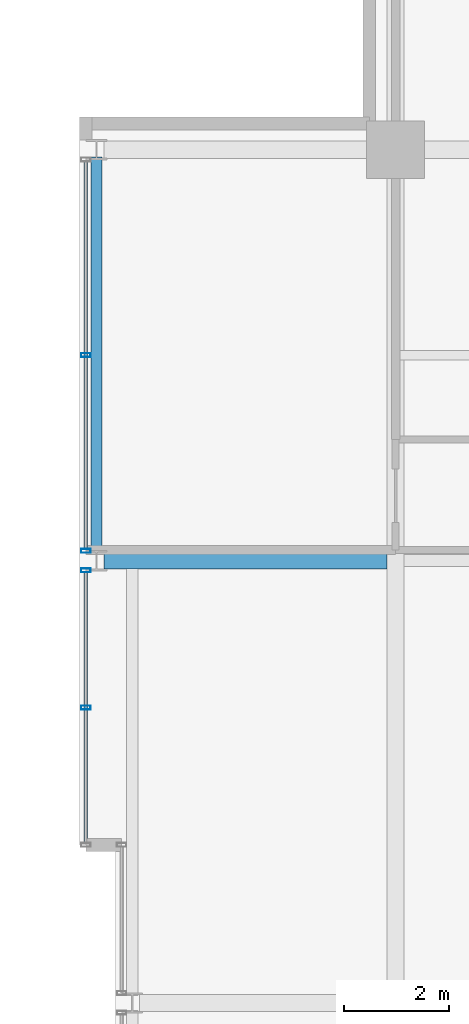
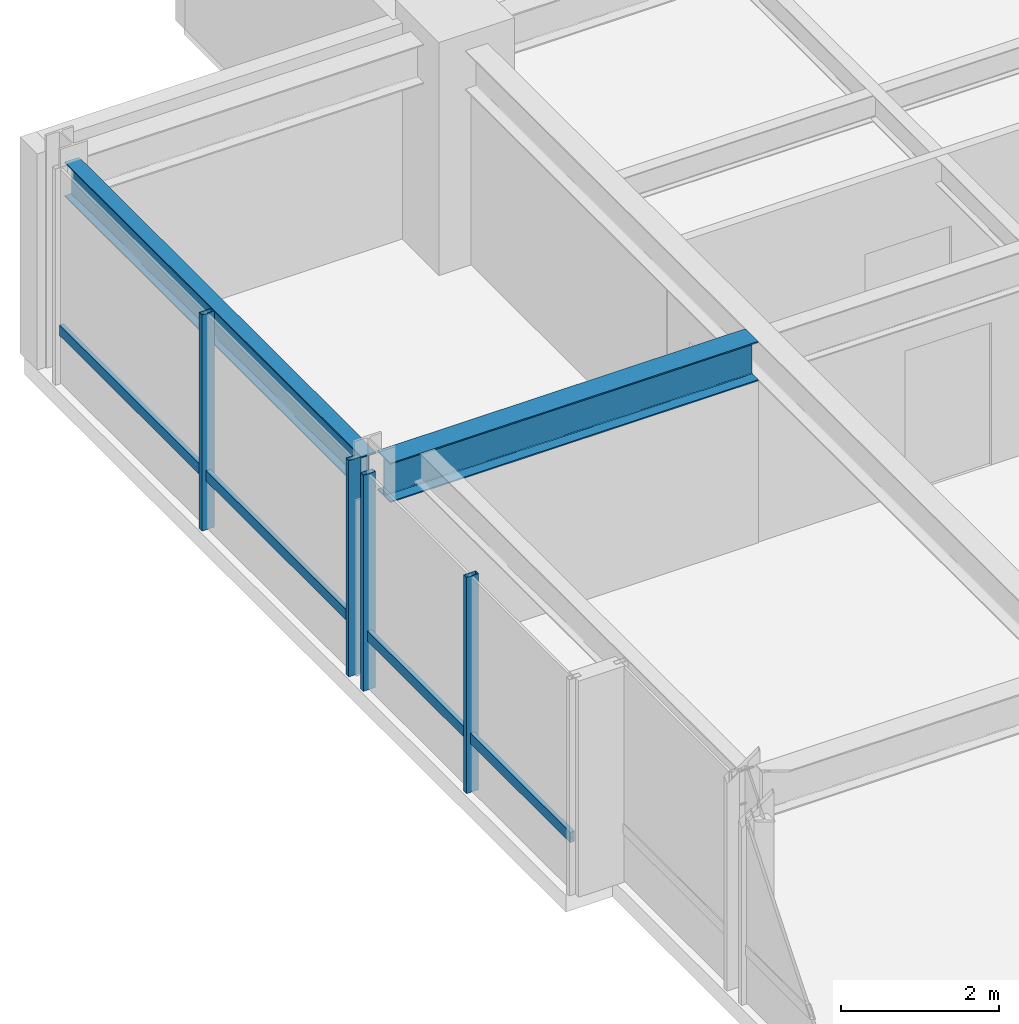
# One storey, part 17 of 31: 6 members, 2 beams, 2 elements without a shape of their own.
"""IFC4 building model written with IfcOpenShell, lengths in metres."""

from ifc_helpers import new_model, si_unit, direction, frame, origin, origin_2d, place, context, subcontext, project, spatial, hollow_rectangle, i_section, extrude, material, layer, layer_set, material_profile, profile_set, type_object, element, aggregate, save


model = new_model("IFC4")

# Units and contexts
model_context = context("Model", 3, precision=1e-05, world=origin(), true_north=direction((0.0, 1.0)))
body_context = subcontext(model_context, "Body", "Model", "MODEL_VIEW")
ifc_project = project(units=[si_unit("LENGTHUNIT", "METRE"), si_unit("AREAUNIT", "SQUARE_METRE"), si_unit("VOLUMEUNIT", "CUBIC_METRE"), si_unit("PLANEANGLEUNIT", "RADIAN"), si_unit("MASSUNIT", "GRAM", prefix="KILO")], contexts=[model_context])

# Site, building, storey
site_placement = place(None, origin())
site = spatial("IfcSite", under=ifc_project, at=site_placement, CompositionType="ELEMENT")
building_placement = place(site_placement, origin())
building = spatial("IfcBuilding", under=site, at=building_placement, Name="Drelvath Grand Hotel", CompositionType="ELEMENT")
storey_placement = place(building_placement, frame((0.0, 0.0, 230.300048828125)))
storey = spatial("IfcBuildingStorey", under=building, at=storey_placement, Name="L60", CompositionType="ELEMENT", Elevation=230.300048828125)

# Curtain wall, member
ifc_material_1 = material(Name="Platinum-Mist Anodised Aluminium Frame", Category="aluminium")
ifc_layer = layer(ifc_material_1, 0.199951171875)
ifc_layer_set = layer_set([ifc_layer], Name="Platinum-Mist Anodised Aluminium Frame")
curtain_wall_type = type_object("IfcCurtainWallType", Name="Stick Curtain Wall CW-05 Platinum Mist High-Rise", PredefinedType="NOTDEFINED", material=ifc_layer_set)
curtain_wall_1_placement = place(storey_placement, origin())
curtain_wall_1 = element("IfcCurtainWall", 1, at=curtain_wall_1_placement, inside=storey, type_object=curtain_wall_type, Name="L60 CW-05 Curtain Wall CW05-L60-WN1", PredefinedType="NOTDEFINED")
ifc_material_profile_1 = material_profile(ifc_material_1, hollow_rectangle(XDim=0.06494140625, YDim=0.159912109375, WallThickness=0.00390625, at=origin_2d()), Name="HSS160X65X4")
ifc_profile_set_1 = profile_set([ifc_material_profile_1], Name="Platinum-Mist Anodised Aluminium Frame")
member_type_1 = type_object("IfcMemberType", Name="Curtain Wall Horizontal Transom CW-05 HSS160X65X4", PredefinedType="USERDEFINED", material=ifc_profile_set_1)
member_1_placement = place(storey_placement, frame((-22.080078125, 30.0400390625, 0.8349609375), z_axis=(0.0, 1.0, 0.0), x_axis=(-1.0, 0.0, 0.0)))
member_1 = element("IfcMember", 2, at=member_1_placement, type_object=member_type_1, Name="CW05-L60-WN1 Sill Transom", ObjectType="TRANSOM", PredefinedType="USERDEFINED", context=body_context, shape_type="SweptSolid", body=[
    extrude(hollow_rectangle(XDim=0.06494140625, YDim=0.159912109375, WallThickness=0.00390625, at=origin_2d()), origin(), (0.0, 0.0, 1.0), 5.134765625),
])

curtain_wall_2_placement = place(storey_placement, origin())
curtain_wall_2 = element("IfcCurtainWall", 3, at=curtain_wall_2_placement, inside=storey, type_object=curtain_wall_type, Name="L60 CW-05 Curtain Wall CW05-L60-WN2", PredefinedType="NOTDEFINED")
member_2_placement = place(storey_placement, frame((-22.080078125, 35.625244140625, 0.8349609375), z_axis=(0.0, 1.0, 0.0), x_axis=(-1.0, 0.0, 0.0)))
member_2 = element("IfcMember", 4, at=member_2_placement, type_object=member_type_1, Name="CW05-L60-WN2 Sill Transom", ObjectType="TRANSOM", PredefinedType="USERDEFINED", context=body_context, shape_type="SweptSolid", body=[
    extrude(hollow_rectangle(XDim=0.06494140625, YDim=0.159912109375, WallThickness=0.00390625, at=origin_2d()), origin(), (0.0, 0.0, 1.0), 7.349365234375),
])

# Member
ifc_material_profile_2 = material_profile(ifc_material_1, hollow_rectangle(XDim=0.074951171875, YDim=0.179931640625, WallThickness=0.0048828125, at=origin_2d()), Name="HSS180X75X5")
ifc_profile_set_2 = profile_set([ifc_material_profile_2], Name="Platinum-Mist Anodised Aluminium Frame")
member_type_2 = type_object("IfcMemberType", Name="Curtain Wall Vertical Mullion CW-05 HSS180X75X5", PredefinedType="MULLION", material=ifc_profile_set_2)
member_3_placement = place(storey_placement, frame((-22.080078125, 32.607421875, 0.0), z_axis=(0.0, 0.0, 1.0), x_axis=(0.0, 1.0, 0.0)))
member_3 = element("IfcMember", 5, at=member_3_placement, type_object=member_type_2, Name="CW05-L60-WN1 Mullion 2", PredefinedType="MULLION", context=body_context, shape_type="SweptSolid", body=[
    extrude(hollow_rectangle(XDim=0.074951171875, YDim=0.179931640625, WallThickness=0.0048828125, at=origin_2d()), origin(), (0.0, 0.0, 1.0), 3.33984375),
])

member_4_placement = place(storey_placement, frame((-22.080078125, 35.214599609375, 0.0), z_axis=(0.0, 0.0, 1.0), x_axis=(0.0, 1.0, 0.0)))
member_4 = element("IfcMember", 6, at=member_4_placement, type_object=member_type_2, Name="CW05-L60-WN1 Mullion 3", PredefinedType="MULLION", context=body_context, shape_type="SweptSolid", body=[
    extrude(hollow_rectangle(XDim=0.074951171875, YDim=0.179931640625, WallThickness=0.0048828125, at=origin_2d()), origin(), (0.0, 0.0, 1.0), 3.33984375),
])

aggregate(curtain_wall_1, [member_3, member_4, member_1])

member_5_placement = place(storey_placement, frame((-22.080078125, 35.585205078125, 0.0), z_axis=(0.0, 0.0, 1.0), x_axis=(0.0, 1.0, 0.0)))
member_5 = element("IfcMember", 7, at=member_5_placement, type_object=member_type_2, Name="CW05-L60-WN2 Mullion 1", PredefinedType="MULLION", context=body_context, shape_type="SweptSolid", body=[
    extrude(hollow_rectangle(XDim=0.074951171875, YDim=0.179931640625, WallThickness=0.0048828125, at=origin_2d()), origin(), (0.0, 0.0, 1.0), 3.33984375),
])

member_6_placement = place(storey_placement, frame((-22.080078125, 39.300048828125, 0.0), z_axis=(0.0, 0.0, 1.0), x_axis=(0.0, 1.0, 0.0)))
member_6 = element("IfcMember", 8, at=member_6_placement, type_object=member_type_2, Name="CW05-L60-WN2 Mullion 2", PredefinedType="MULLION", context=body_context, shape_type="SweptSolid", body=[
    extrude(hollow_rectangle(XDim=0.074951171875, YDim=0.179931640625, WallThickness=0.0048828125, at=origin_2d()), origin(), (0.0, 0.0, 1.0), 3.33984375),
])

aggregate(curtain_wall_2, [member_5, member_6, member_2])

# Beams
ifc_material_2 = material(Name="Steel ASTM A992 Gr 50", Category="steel")
ifc_material_profile_3 = material_profile(ifc_material_2, i_section(OverallWidth=0.210205078125, OverallDepth=0.53662109375, WebThickness=0.010986328125, FlangeThickness=0.017333984375, FilletRadius=0.01806640625, at=origin_2d()), Name="W21X68")
ifc_profile_set_3 = profile_set([ifc_material_profile_3], Name="Steel ASTM A992 Gr 50")
beam_type_1 = type_object("IfcBeamType", Name="Perimeter Spandrel Beam W21X68", PredefinedType="SPANDREL", material=ifc_profile_set_3)
beam_1_placement = place(storey_placement, frame((-21.8798828125, 35.5400390625, 3.071533203125), z_axis=(0.0, 1.0, 0.0), x_axis=(-1.0, 0.0, 0.0)))
element("IfcBeam", 9, at=beam_1_placement, inside=storey, type_object=beam_type_1, Name="L60 Spandrel West N", PredefinedType="SPANDREL", context=body_context, shape_type="SweptSolid", body=[
    extrude(i_section(OverallWidth=0.210205078125, OverallDepth=0.53662109375, WebThickness=0.010986328125, FlangeThickness=0.017333984375, FilletRadius=0.01806640625, at=origin_2d()), origin(), (0.0, 0.0, 1.0), 7.52001953125),
])
ifc_material_profile_4 = material_profile(ifc_material_2, i_section(OverallWidth=0.323974609375, OverallDepth=0.611083984375, WebThickness=0.0126953125, FlangeThickness=0.01904296875, FilletRadius=0.02197265625, at=origin_2d()), Name="W24X104")
ifc_profile_set_4 = profile_set([ifc_material_profile_4], Name="Steel ASTM A992 Gr 50")
beam_type_2 = type_object("IfcBeamType", Name="Primary Floor Girder W24X104", PredefinedType="BEAM", material=ifc_profile_set_4)
beam_2_placement = place(storey_placement, frame((-21.739990234375, 35.39990234375, 3.034423828125), z_axis=(1.0, 0.0, 0.0), x_axis=(0.0, 1.0, 0.0)))
element("IfcBeam", 10, at=beam_2_placement, inside=storey, type_object=beam_type_2, Name="L60 West Wing Girder F", PredefinedType="BEAM", context=body_context, shape_type="SweptSolid", body=[
    extrude(i_section(OverallWidth=0.323974609375, OverallDepth=0.611083984375, WebThickness=0.0126953125, FlangeThickness=0.01904296875, FilletRadius=0.02197265625, at=origin_2d()), origin(), (0.0, 0.0, 1.0), 5.3779296875),
])

save(model, "model.ifc")
